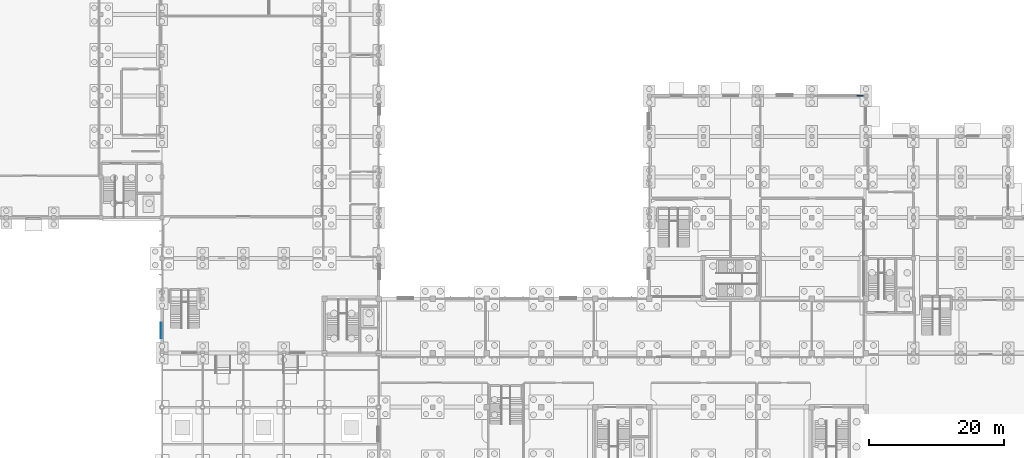
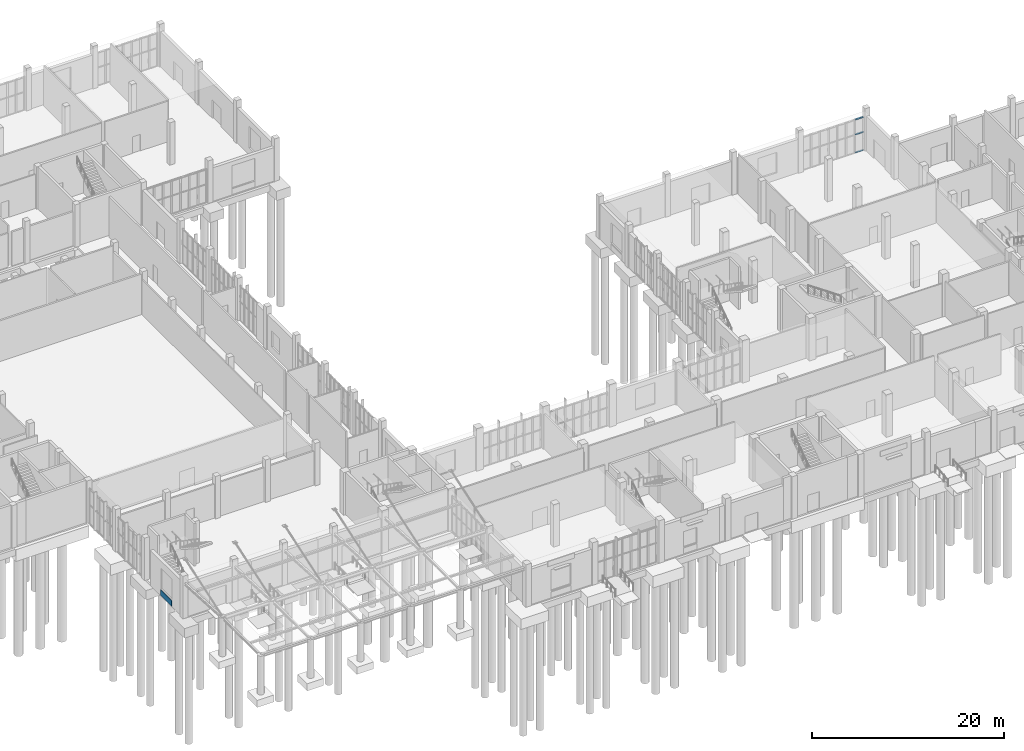
# One storey, part 28 of 69: 3 members, 1 plate, 1 element without a shape of its own.
"""IFC4 building model written with IfcOpenShell, lengths in metres."""

from ifc_helpers import new_model, si_unit, direction, frame, origin, origin_2d, place, context, subcontext, project, spatial, rectangle, extrude, material, layer, layer_set, material_profile, profile_set, type_object, element, aggregate, save


model = new_model("IFC4")

# Units and contexts
model_context = context("Model", 3, precision=1e-05, world=origin(), true_north=direction((0.0, 1.0)))
body_context = subcontext(model_context, "Body", "Model", "MODEL_VIEW")
ifc_project = project(units=[si_unit("LENGTHUNIT", "METRE"), si_unit("AREAUNIT", "SQUARE_METRE"), si_unit("VOLUMEUNIT", "CUBIC_METRE"), si_unit("PLANEANGLEUNIT", "RADIAN"), si_unit("MASSUNIT", "GRAM", prefix="KILO")], contexts=[model_context])

# Site, building, storey
site_placement = place(None, origin())
site = spatial("IfcSite", under=ifc_project, at=site_placement, CompositionType="ELEMENT")
building_placement = place(site_placement, origin())
building = spatial("IfcBuilding", under=site, at=building_placement, Name="Solvane Community Centre", CompositionType="ELEMENT")
storey_placement = place(building_placement, origin())
storey = spatial("IfcBuildingStorey", under=building, at=storey_placement, Name="L00", CompositionType="ELEMENT", Elevation=0.0)

# Curtain wall, members
ifc_material = material(Name="Anodised bronze aluminium AW-6063 T6", Category="aluminium")
ifc_layer_1 = layer(ifc_material, 0.18994140625)
ifc_layer_set_1 = layer_set([ifc_layer_1], Name="Anodised bronze aluminium AW-6063 T6")
curtain_wall_type = type_object("IfcCurtainWallType", Name="Boulevard Bronze Vision Curtain Wall [74x42dm]", PredefinedType="NOTDEFINED", material=ifc_layer_set_1)
curtain_wall_placement = place(storey_placement, origin())
curtain_wall = element("IfcCurtainWall", 1, at=curtain_wall_placement, inside=storey, type_object=curtain_wall_type, Name="Curtain Wall CW-L00-1323_600-030", PredefinedType="NOTDEFINED")
ifc_material_profile = material_profile(ifc_material, rectangle(XDim=0.14990234375, YDim=0.06005859375, at=origin_2d()), Name="CW-T 60x150")
ifc_profile_set = profile_set([ifc_material_profile], Name="Anodised bronze aluminium AW-6063 T6")
member_type = type_object("IfcMemberType", Name="Boulevard Transom 60x150", PredefinedType="USERDEFINED", material=ifc_profile_set)
member_1_placement = place(storey_placement, frame((138.662109375, 60.0, 0.030029296875), z_axis=(1.0, 0.0, 0.0), x_axis=(0.0, 1.0, 0.0)))
member_1 = element("IfcMember", 2, at=member_1_placement, type_object=member_type, Name="CW02-74x42 transom 7.1", ObjectType="TRANSOM", PredefinedType="USERDEFINED", context=body_context, shape_type="SweptSolid", body=[
    extrude(rectangle(XDim=0.14990234375, YDim=0.06005859375, at=origin_2d()), origin(), (0.0, 0.0, 1.0), 0.962890625),
])
member_2_placement = place(storey_placement, frame((138.662109375, 60.0, 2.3349609375), z_axis=(1.0, 0.0, 0.0), x_axis=(0.0, 1.0, 0.0)))
member_2 = element("IfcMember", 3, at=member_2_placement, type_object=member_type, Name="CW02-74x42 transom 7.2", ObjectType="TRANSOM", PredefinedType="USERDEFINED", context=body_context, shape_type="SweptSolid", body=[
    extrude(rectangle(XDim=0.14990234375, YDim=0.06005859375, at=origin_2d()), origin(), (0.0, 0.0, 1.0), 0.962890625),
])
member_3_placement = place(storey_placement, frame((138.662109375, 60.0, 4.215087890625), z_axis=(1.0, 0.0, 0.0), x_axis=(0.0, 1.0, 0.0)))
member_3 = element("IfcMember", 4, at=member_3_placement, type_object=member_type, Name="CW02-74x42 transom 7.3", ObjectType="TRANSOM", PredefinedType="USERDEFINED", context=body_context, shape_type="SweptSolid", body=[
    extrude(rectangle(XDim=0.14990234375, YDim=0.06005859375, at=origin_2d()), origin(), (0.0, 0.0, 1.0), 0.962890625),
])
aggregate(curtain_wall, [member_1, member_2, member_3])

# Plate
ifc_layer_2 = layer(ifc_material, 0.02392578125)
ifc_layer_set_2 = layer_set([ifc_layer_2], Name="Anodised bronze aluminium AW-6063 T6")
plate_type = type_object("IfcPlateType", Name="Bronze Spandrel Cassette 24mm", PredefinedType="SHEET", material=ifc_layer_set_2)
plate_placement = place(storey_placement, frame((35.798095703125, 25.333251953125, 0.06005859375), z_axis=(0.0, 0.0, 1.0), x_axis=(0.0, 1.0, 0.0)))
element("IfcPlate", 5, at=plate_placement, inside=storey, type_object=plate_type, Name="Art Deco Spandrel SPC-L00-004", PredefinedType="SHEET", context=body_context, shape_type="SweptSolid", body=[
    extrude(rectangle(XDim=2.300048828125, YDim=0.02392578125, at=origin_2d()), origin(), (0.0, 0.0, 1.0), 0.719970703125),
])

save(model, "model.ifc")
